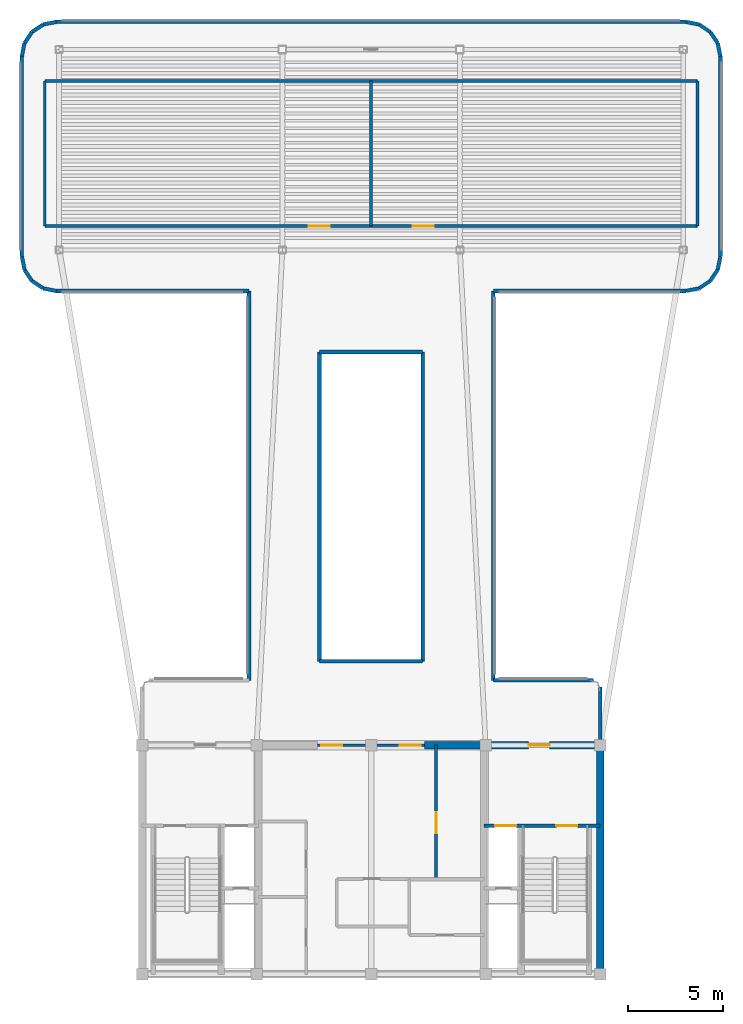
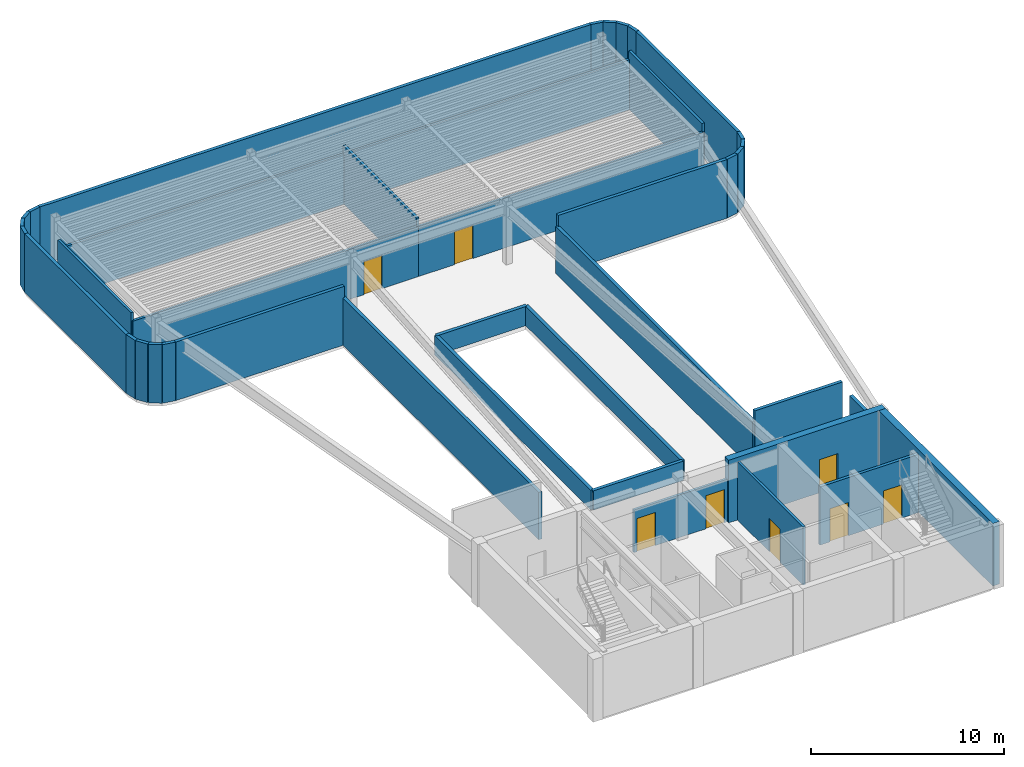
# One storey, part 3 of 6: 41 walls, 8 doors, 8 openings.
"""IFC4 building model written with IfcOpenShell, lengths in metres."""

from ifc_helpers import new_model, si_unit, direction, frame, frame_2d, origin, origin_2d, place, context, subcontext, project, spatial, rectangle, extrude, source, transform, mapped, material, layer, layer_set, type_object, element, fill, save


model = new_model("IFC4")

# Units and contexts
model_context = context("Model", 3, precision=1e-05, world=origin(), true_north=direction((0.0, 1.0)))
body_context = subcontext(model_context, "Body", "Model", "MODEL_VIEW")
ifc_project = project(units=[si_unit("LENGTHUNIT", "METRE"), si_unit("AREAUNIT", "SQUARE_METRE"), si_unit("VOLUMEUNIT", "CUBIC_METRE"), si_unit("PLANEANGLEUNIT", "RADIAN"), si_unit("MASSUNIT", "GRAM", prefix="KILO")], contexts=[model_context])

# Site, building, storey
site_placement = place(None, origin())
site = spatial("IfcSite", under=ifc_project, at=site_placement, CompositionType="ELEMENT")
building_placement = place(site_placement, origin())
building = spatial("IfcBuilding", under=site, at=building_placement, Name="Brelvock Crest Care Tower", CompositionType="ELEMENT")
storey_placement = place(building_placement, frame((0.0, 0.0, 299.8798828125)))
storey = spatial("IfcBuildingStorey", under=building, at=storey_placement, Name="L76", CompositionType="ELEMENT", Elevation=299.8798828125)

# Wall
ifc_material_1 = material(Name="Concrete S65 (65 MPa)", Category="concrete")
ifc_layer_1 = layer(ifc_material_1, 0.39990234375, Name="WL-CS4")
ifc_layer_set_1 = layer_set([ifc_layer_1], Name="Concrete S65 (65 MPa)")
wall_type_1 = type_object("IfcWallType", Name="WL-CS4", PredefinedType="SHEAR", material=ifc_layer_set_1)
wall_1_placement = place(storey_placement, frame((48.0, 18.0, 0.0), z_axis=(0.0, 0.0, 1.0), x_axis=(0.0, -1.0, 0.0)))
element("IfcWall", 1, at=wall_1_placement, inside=storey, type_object=wall_type_1, Name="L76 Core East Shear Wall", PredefinedType="SHEAR", context=body_context, shape_type="SweptSolid", body=[
    extrude(rectangle(XDim=12.0, YDim=0.39990234375, at=frame_2d((6.0, 0.0))), origin(), (0.0, 0.0, 1.0), 3.960205078125),
])

# Wall, opening, door
wall_2_placement = place(storey_placement, frame((38.800048828125, 18.0, 0.0), z_axis=(0.0, 0.0, 1.0), x_axis=(1.0, 0.0, 0.0)))
wall_2 = element("IfcWall", 2, at=wall_2_placement, inside=storey, type_object=wall_type_1, Name="L76 Core North-East Shear Wall", PredefinedType="SHEAR", context=body_context, shape_type="SweptSolid", body=[
    extrude(rectangle(XDim=9.39990234375, YDim=0.39990234375, at=frame_2d((4.699951171875, 0.0))), origin(), (0.0, 0.0, 1.0), 3.960205078125),
])
opening_1_placement = place(wall_2_placement, frame((5.449951171875, 0.0, 0.0)))
opening_1 = element("IfcOpeningElement", 3, at=opening_1_placement, cuts=wall_2, Name="Opening FD-1", PredefinedType="OPENING", context=body_context, shape_type="SweptSolid", body=[
    extrude(rectangle(XDim=1.10009765625, YDim=2.10009765625, at=origin_2d()), frame((0.550048828125, 0.2099609375, 1.050048828125), z_axis=(0.0, -1.0, 0.0), x_axis=(1.0, 0.0, 0.0)), (0.0, 0.0, 1.0), 0.419921875),
])
ifc_material_2 = material(Name="Steel Grade 350", Category="steel")
door_type_1 = type_object("IfcDoorType", Name="DR-FFL1", OperationType="NOTDEFINED", PredefinedType="DOOR", material=ifc_material_2)
shared_shape_1 = source(origin(), body_context, "Body", "SweptSolid", [
    extrude(rectangle(XDim=1.10009765625, YDim=2.10009765625, at=origin_2d()), frame((0.550048828125, 0.02490234375, 1.050048828125), z_axis=(0.0, -1.0, 0.0), x_axis=(1.0, 0.0, 0.0)), (0.0, 0.0, 1.0), 0.050048828125),
])
door_1_placement = place(opening_1_placement, origin())
door_1 = element("IfcDoor", 4, at=door_1_placement, inside=storey, type_object=door_type_1, Name="L76 Firefighting Lobby FFL-2 Exit Door", OperationType="SINGLE_SWING_RIGHT", OverallHeight=2.10009765625, OverallWidth=1.10009765625, PredefinedType="DOOR", context=body_context, shape_type="MappedRepresentation", body=[
    mapped(shared_shape_1, transform((0.0, 0.0, 0.0), x_axis=(1.0, 0.0, 0.0), y_axis=(0.0, 1.0, 0.0), z_axis=(0.0, 0.0, 1.0), scale=1.0)),
])
fill(opening_1, door_1)

# Walls
ifc_material_3 = material(Name="Precast concrete N40 (40 MPa)", Category="concrete")
ifc_layer_2 = layer(ifc_material_3, 0.195068359375, Name="WL-EX3")
ifc_layer_set_2 = layer_set([ifc_layer_2], Name="Precast concrete N40 (40 MPa)")
wall_type_2 = type_object("IfcWallType", Name="WL-EX3", PredefinedType="SOLIDWALL", material=ifc_layer_set_2)
wall_3_placement = place(storey_placement, frame((48.0, 21.050048828125, 0.0), z_axis=(0.0, 0.0, 1.0), x_axis=(0.0, -1.0, 0.0)))
element("IfcWall", 5, at=wall_3_placement, inside=storey, type_object=wall_type_2, Name="L76 Crown and Plant Cladding Wall 02", PredefinedType="SOLIDWALL", context=body_context, shape_type="SweptSolid", body=[
    extrude(rectangle(XDim=2.77001953125, YDim=0.195068359375, at=frame_2d((1.385009765625, 0.0))), origin(), (0.0, 0.0, 1.0), 2.898193359375),
])
wall_4_placement = place(storey_placement, frame((29.60009765625, 21.39990234375, 0.0), z_axis=(0.0, 0.0, 1.0), x_axis=(0.0, 1.0, 0.0)))
element("IfcWall", 6, at=wall_4_placement, inside=storey, type_object=wall_type_2, Name="L76 Crown and Plant Cladding Wall 12", PredefinedType="SOLIDWALL", context=body_context, shape_type="SweptSolid", body=[
    extrude(rectangle(XDim=20.400146484375, YDim=0.195068359375, at=frame_2d((10.2001953125, 0.0))), origin(), (0.0, 0.0, 1.0), 2.998046875),
])
wall_5_placement = place(storey_placement, frame((29.60009765625, 41.800048828125, 0.0), z_axis=(0.0, 0.0, 1.0), x_axis=(-1.0, 0.0, 0.0)))
element("IfcWall", 7, at=wall_5_placement, inside=storey, type_object=wall_type_2, Name="L76 Crown and Plant Cladding Wall 13", PredefinedType="SOLIDWALL", context=body_context, shape_type="SweptSolid", body=[
    extrude(rectangle(XDim=10.10009765625, YDim=0.195068359375, at=frame_2d((5.050048828125, 0.0))), origin(), (0.0, 0.0, 1.0), 3.710205078125),
])
wall_6_placement = place(storey_placement, frame((19.5, 41.800048828125, 0.0), z_axis=(0.0, 0.0, 1.0), x_axis=(-0.980794046625, 0.195046246068, 0.0)))
element("IfcWall", 8, at=wall_6_placement, inside=storey, type_object=wall_type_2, Name="L76 Crown and Plant Cladding Wall 14", PredefinedType="SOLIDWALL", context=body_context, shape_type="SweptSolid", body=[
    extrude(rectangle(XDim=0.7021484375, YDim=0.195068359375, at=frame_2d((0.35107421875, 0.0))), origin(), (0.0, 0.0, 1.0), 3.710205078125),
])
for number, where, z_axis, x_axis, name in (
    (9, (18.811279296875, 41.93701171875, 0.0), (0.0, 0.0, 1.0), (-0.831515102434, 0.555502146192, 0.0), "L76 Crown and Plant Cladding Wall 15"),
    (10, (18.227294921875, 42.3271484375, 0.0), (0.0, 0.0, 1.0), (-0.555742429414, 0.831354528555, 0.0), "L76 Crown and Plant Cladding Wall 16"),
    (11, (17.8369140625, 42.9111328125, 0.0), (0.0, 0.0, 1.0), (-0.194979757801, 0.980807266515, 0.0), "L76 Crown and Plant Cladding Wall 17"),
):
    element("IfcWall", number, at=place(storey_placement, frame(where, z_axis=z_axis, x_axis=x_axis)), inside=storey, type_object=wall_type_2, Name=name, PredefinedType="SOLIDWALL", context=body_context, shape_type="SweptSolid", body=[
        extrude(rectangle(XDim=0.702392578125, YDim=0.195068359375, at=frame_2d((0.35107421875, 0.0))), origin(), (0.0, 0.0, 1.0), 3.710205078125),
    ])
wall_7_placement = place(storey_placement, frame((17.699951171875, 43.60009765625, 0.0), z_axis=(0.0, 0.0, 1.0), x_axis=(0.0, 1.0, 0.0)))
element("IfcWall", 12, at=wall_7_placement, inside=storey, type_object=wall_type_2, Name="L76 Crown and Plant Cladding Wall 18", PredefinedType="SOLIDWALL", context=body_context, shape_type="SweptSolid", body=[
    extrude(rectangle(XDim=10.5, YDim=0.195068359375, at=frame_2d((5.25, 0.0))), origin(), (0.0, 0.0, 1.0), 3.710205078125),
])
wall_8_placement = place(storey_placement, frame((17.699951171875, 54.10009765625, 0.0), z_axis=(0.0, 0.0, 1.0), x_axis=(0.195046246068, 0.980794046625, 0.0)))
element("IfcWall", 13, at=wall_8_placement, inside=storey, type_object=wall_type_2, Name="L76 Crown and Plant Cladding Wall 19", PredefinedType="SOLIDWALL", context=body_context, shape_type="SweptSolid", body=[
    extrude(rectangle(XDim=0.7021484375, YDim=0.195068359375, at=frame_2d((0.35107421875, 0.0))), origin(), (0.0, 0.0, 1.0), 3.710205078125),
])
for number, where, z_axis, x_axis, name in (
    (14, (17.8369140625, 54.788818359375, 0.0), (0.0, 0.0, 1.0), (0.555742429414, 0.831354528555, 0.0), "L76 Crown and Plant Cladding Wall 20"),
    (15, (18.227294921875, 55.372802734375, 0.0), (0.0, 0.0, 1.0), (0.831515102434, 0.555502146192, 0.0), "L76 Crown and Plant Cladding Wall 21"),
):
    element("IfcWall", number, at=place(storey_placement, frame(where, z_axis=z_axis, x_axis=x_axis)), inside=storey, type_object=wall_type_2, Name=name, PredefinedType="SOLIDWALL", context=body_context, shape_type="SweptSolid", body=[
        extrude(rectangle(XDim=0.702392578125, YDim=0.195068359375, at=frame_2d((0.35107421875, 0.0))), origin(), (0.0, 0.0, 1.0), 3.710205078125),
    ])
wall_9_placement = place(storey_placement, frame((18.811279296875, 55.762939453125, 0.0), z_axis=(0.0, 0.0, 1.0), x_axis=(0.980794046625, 0.195046246068, 0.0)))
element("IfcWall", 16, at=wall_9_placement, inside=storey, type_object=wall_type_2, Name="L76 Crown and Plant Cladding Wall 22", PredefinedType="SOLIDWALL", context=body_context, shape_type="SweptSolid", body=[
    extrude(rectangle(XDim=0.7021484375, YDim=0.195068359375, at=frame_2d((0.35107421875, 0.0))), origin(), (0.0, 0.0, 1.0), 3.710205078125),
])
wall_10_placement = place(storey_placement, frame((19.5, 55.89990234375, 0.0), z_axis=(0.0, 0.0, 1.0), x_axis=(1.0, 0.0, 0.0)))
element("IfcWall", 17, at=wall_10_placement, inside=storey, type_object=wall_type_2, Name="L76 Crown and Plant Cladding Wall 23", PredefinedType="SOLIDWALL", context=body_context, shape_type="SweptSolid", body=[
    extrude(rectangle(XDim=33.0, YDim=0.195068359375, at=frame_2d((16.5, 0.0))), origin(), (0.0, 0.0, 1.0), 3.710205078125),
])
wall_11_placement = place(storey_placement, frame((52.5, 55.89990234375, 0.0), z_axis=(0.0, 0.0, 1.0), x_axis=(0.980794046625, -0.195046246068, 0.0)))
element("IfcWall", 18, at=wall_11_placement, inside=storey, type_object=wall_type_2, Name="L76 Crown and Plant Cladding Wall 24", PredefinedType="SOLIDWALL", context=body_context, shape_type="SweptSolid", body=[
    extrude(rectangle(XDim=0.7021484375, YDim=0.195068359375, at=frame_2d((0.35107421875, 0.0))), origin(), (0.0, 0.0, 1.0), 3.710205078125),
])
for number, where, z_axis, x_axis, name in (
    (19, (53.188720703125, 55.762939453125, 0.0), (0.0, 0.0, 1.0), (0.831515102434, -0.555502146192, 0.0), "L76 Crown and Plant Cladding Wall 25"),
    (20, (53.772705078125, 55.372802734375, 0.0), (0.0, 0.0, 1.0), (0.555742429414, -0.831354528555, 0.0), "L76 Crown and Plant Cladding Wall 26"),
):
    element("IfcWall", number, at=place(storey_placement, frame(where, z_axis=z_axis, x_axis=x_axis)), inside=storey, type_object=wall_type_2, Name=name, PredefinedType="SOLIDWALL", context=body_context, shape_type="SweptSolid", body=[
        extrude(rectangle(XDim=0.702392578125, YDim=0.195068359375, at=frame_2d((0.35107421875, 0.0))), origin(), (0.0, 0.0, 1.0), 3.710205078125),
    ])
wall_12_placement = place(storey_placement, frame((54.1630859375, 54.788818359375, 0.0), z_axis=(0.0, 0.0, 1.0), x_axis=(0.195046246068, -0.980794046625, 0.0)))
element("IfcWall", 21, at=wall_12_placement, inside=storey, type_object=wall_type_2, Name="L76 Crown and Plant Cladding Wall 27", PredefinedType="SOLIDWALL", context=body_context, shape_type="SweptSolid", body=[
    extrude(rectangle(XDim=0.7021484375, YDim=0.195068359375, at=frame_2d((0.35107421875, 0.0))), origin(), (0.0, 0.0, 1.0), 3.710205078125),
])
wall_13_placement = place(storey_placement, frame((54.300048828125, 54.10009765625, 0.0), z_axis=(0.0, 0.0, 1.0), x_axis=(0.0, -1.0, 0.0)))
element("IfcWall", 22, at=wall_13_placement, inside=storey, type_object=wall_type_2, Name="L76 Crown and Plant Cladding Wall 28", PredefinedType="SOLIDWALL", context=body_context, shape_type="SweptSolid", body=[
    extrude(rectangle(XDim=10.5, YDim=0.195068359375, at=frame_2d((5.25, 0.0))), origin(), (0.0, 0.0, 1.0), 3.710205078125),
])
for number, where, z_axis, x_axis, name in (
    (23, (54.300048828125, 43.60009765625, 0.0), (0.0, 0.0, 1.0), (-0.194979757801, -0.980807266515, 0.0), "L76 Crown and Plant Cladding Wall 29"),
    (24, (54.1630859375, 42.9111328125, 0.0), (0.0, 0.0, 1.0), (-0.555742429414, -0.831354528555, 0.0), "L76 Crown and Plant Cladding Wall 30"),
    (25, (53.772705078125, 42.3271484375, 0.0), (0.0, 0.0, 1.0), (-0.831515102434, -0.555502146192, 0.0), "L76 Crown and Plant Cladding Wall 31"),
):
    element("IfcWall", number, at=place(storey_placement, frame(where, z_axis=z_axis, x_axis=x_axis)), inside=storey, type_object=wall_type_2, Name=name, PredefinedType="SOLIDWALL", context=body_context, shape_type="SweptSolid", body=[
        extrude(rectangle(XDim=0.702392578125, YDim=0.195068359375, at=frame_2d((0.35107421875, 0.0))), origin(), (0.0, 0.0, 1.0), 3.710205078125),
    ])
wall_14_placement = place(storey_placement, frame((53.188720703125, 41.93701171875, 0.0), z_axis=(0.0, 0.0, 1.0), x_axis=(-0.980794046625, -0.195046246068, 0.0)))
element("IfcWall", 26, at=wall_14_placement, inside=storey, type_object=wall_type_2, Name="L76 Crown and Plant Cladding Wall 32", PredefinedType="SOLIDWALL", context=body_context, shape_type="SweptSolid", body=[
    extrude(rectangle(XDim=0.7021484375, YDim=0.195068359375, at=frame_2d((0.35107421875, 0.0))), origin(), (0.0, 0.0, 1.0), 3.710205078125),
])
wall_15_placement = place(storey_placement, frame((52.5, 41.800048828125, 0.0), z_axis=(0.0, 0.0, 1.0), x_axis=(-1.0, 0.0, 0.0)))
element("IfcWall", 27, at=wall_15_placement, inside=storey, type_object=wall_type_2, Name="L76 Crown and Plant Cladding Wall 33", PredefinedType="SOLIDWALL", context=body_context, shape_type="SweptSolid", body=[
    extrude(rectangle(XDim=10.10009765625, YDim=0.195068359375, at=frame_2d((5.050048828125, 0.0))), origin(), (0.0, 0.0, 1.0), 3.710205078125),
])
wall_16_placement = place(storey_placement, frame((42.39990234375, 41.800048828125, 0.0), z_axis=(0.0, 0.0, 1.0), x_axis=(0.0, -1.0, 0.0)))
element("IfcWall", 28, at=wall_16_placement, inside=storey, type_object=wall_type_2, Name="L76 Crown and Plant Cladding Wall 34", PredefinedType="SOLIDWALL", context=body_context, shape_type="SweptSolid", body=[
    extrude(rectangle(XDim=20.400146484375, YDim=0.195068359375, at=frame_2d((10.2001953125, 0.0))), origin(), (0.0, 0.0, 1.0), 2.998046875),
])
wall_17_placement = place(storey_placement, frame((42.39990234375, 21.39990234375, 0.0), z_axis=(0.0, 0.0, 1.0), x_axis=(1.0, 0.0, 0.0)))
element("IfcWall", 29, at=wall_17_placement, inside=storey, type_object=wall_type_2, Name="L76 Crown and Plant Cladding Wall 35", PredefinedType="SOLIDWALL", context=body_context, shape_type="SweptSolid", body=[
    extrude(rectangle(XDim=5.25, YDim=0.195068359375, at=frame_2d((2.625, 0.0))), origin(), (0.0, 0.0, 1.0), 3.710205078125),
])

# Wall, opening, door
ifc_material_4 = material(Name="Masonry Blockwork Acoustic Partition", Category="masonry")
ifc_layer_3 = layer(ifc_material_4, 0.14990234375, Name="WL-INT1")
ifc_layer_set_3 = layer_set([ifc_layer_3], Name="Masonry Blockwork Acoustic Partition")
wall_type_3 = type_object("IfcWallType", Name="WL-INT1", PredefinedType="PARTITIONING", material=ifc_layer_set_3)
wall_18_placement = place(storey_placement, frame((39.39990234375, 11.0, 0.0), z_axis=(0.0, 0.0, 1.0), x_axis=(0.0, 1.0, 0.0)))
wall_18 = element("IfcWall", 30, at=wall_18_placement, inside=storey, type_object=wall_type_3, Name="L76 Interior Wall WL-CRCH-W-L76", PredefinedType="PARTITIONING", context=body_context, shape_type="SweptSolid", body=[
    extrude(rectangle(XDim=7.0, YDim=0.14990234375, at=frame_2d((3.5, 0.0))), origin(), (0.0, 0.0, 1.0), 3.68017578125),
])
opening_2_placement = place(wall_18_placement, frame((2.39990234375, 0.0, 0.0)))
opening_2 = element("IfcOpeningElement", 31, at=opening_2_placement, cuts=wall_18, Name="Opening PD-1", PredefinedType="OPENING", context=body_context, shape_type="SweptSolid", body=[
    extrude(rectangle(XDim=1.10009765625, YDim=2.10009765625, at=origin_2d()), frame((0.550048828125, 0.0849609375, 1.050048828125), z_axis=(0.0, -1.0, 0.0), x_axis=(1.0, 0.0, 0.0)), (0.0, 0.0, 1.0), 0.169921875),
])
door_type_2 = type_object("IfcDoorType", Name="DR-PLT1", OperationType="NOTDEFINED", PredefinedType="DOOR", material=ifc_material_2)
shared_shape_2 = source(origin(), body_context, "Body", "SweptSolid", [
    extrude(rectangle(XDim=1.10009765625, YDim=2.10009765625, at=origin_2d()), frame((0.550048828125, 0.02490234375, 1.050048828125), z_axis=(0.0, -1.0, 0.0), x_axis=(1.0, 0.0, 0.0)), (0.0, 0.0, 1.0), 0.050048828125),
])
door_2_placement = place(opening_2_placement, origin())
door_2 = element("IfcDoor", 32, at=door_2_placement, inside=storey, type_object=door_type_2, Name="DR-CRCH-L76", OperationType="SINGLE_SWING_RIGHT", OverallHeight=2.10009765625, OverallWidth=1.10009765625, PredefinedType="DOOR", context=body_context, shape_type="MappedRepresentation", body=[
    mapped(shared_shape_2, transform((0.0, 0.0, 0.0), x_axis=(1.0, 0.0, 0.0), y_axis=(0.0, 1.0, 0.0), z_axis=(0.0, 0.0, 1.0), scale=1.0)),
])
fill(opening_2, door_2)

# Wall, openings, doors
wall_19_placement = place(storey_placement, frame((33.199951171875, 18.0, 0.0), z_axis=(0.0, 0.0, 1.0), x_axis=(1.0, 0.0, 0.0)))
wall_19 = element("IfcWall", 33, at=wall_19_placement, inside=storey, type_object=wall_type_3, Name="L76 Interior Wall WL-CORE-NPORT-L76", PredefinedType="PARTITIONING", context=body_context, shape_type="SweptSolid", body=[
    extrude(rectangle(XDim=5.60009765625, YDim=0.14990234375, at=frame_2d((2.800048828125, 0.0))), origin(), (0.0, 0.0, 1.0), 2.695068359375),
])
opening_3_placement = place(wall_19_placement, frame((0.18994140625, 0.0, 0.0)))
opening_3 = element("IfcOpeningElement", 34, at=opening_3_placement, cuts=wall_19, Name="Opening FD-1", PredefinedType="OPENING", context=body_context, shape_type="SweptSolid", body=[
    extrude(rectangle(XDim=1.10009765625, YDim=2.10009765625, at=origin_2d()), frame((0.550048828125, 0.0849609375, 1.050048828125), z_axis=(0.0, -1.0, 0.0), x_axis=(1.0, 0.0, 0.0)), (0.0, 0.0, 1.0), 0.169921875),
])
opening_4_placement = place(wall_19_placement, frame((4.31005859375, 0.0, 0.0)))
opening_4 = element("IfcOpeningElement", 35, at=opening_4_placement, cuts=wall_19, Name="Opening FD-1", PredefinedType="OPENING", context=body_context, shape_type="SweptSolid", body=[
    extrude(rectangle(XDim=1.10009765625, YDim=2.10009765625, at=origin_2d()), frame((0.550048828125, 0.0849609375, 1.050048828125), z_axis=(0.0, -1.0, 0.0), x_axis=(1.0, 0.0, 0.0)), (0.0, 0.0, 1.0), 0.169921875),
])
door_3_placement = place(opening_3_placement, origin())
door_3 = element("IfcDoor", 36, at=door_3_placement, inside=storey, type_object=door_type_1, Name="L76 Lift Lobby North Smoke Door West", OperationType="SINGLE_SWING_LEFT", OverallHeight=2.10009765625, OverallWidth=1.10009765625, PredefinedType="DOOR", context=body_context, shape_type="MappedRepresentation", body=[
    mapped(shared_shape_1, transform((0.0, 0.0, 0.0), x_axis=(1.0, 0.0, 0.0), y_axis=(0.0, 1.0, 0.0), z_axis=(0.0, 0.0, 1.0), scale=1.0)),
])
fill(opening_3, door_3)
door_4_placement = place(opening_4_placement, origin())
door_4 = element("IfcDoor", 37, at=door_4_placement, inside=storey, type_object=door_type_1, Name="L76 Lift Lobby North Smoke Door East", OperationType="SINGLE_SWING_RIGHT", OverallHeight=2.10009765625, OverallWidth=1.10009765625, PredefinedType="DOOR", context=body_context, shape_type="MappedRepresentation", body=[
    mapped(shared_shape_1, transform((0.0, 0.0, 0.0), x_axis=(1.0, 0.0, 0.0), y_axis=(0.0, 1.0, 0.0), z_axis=(0.0, 0.0, 1.0), scale=1.0)),
])
fill(opening_4, door_4)

# Wall, opening, door
wall_20_placement = place(storey_placement, frame((18.89990234375, 45.199951171875, 0.0), z_axis=(0.0, 0.0, 1.0), x_axis=(1.0, 0.0, 0.0)))
wall_20 = element("IfcWall", 38, at=wall_20_placement, inside=storey, type_object=wall_type_3, Name="L76 Interior Wall WL-RM-L76-CRPW", PredefinedType="PARTITIONING", context=body_context, shape_type="SweptSolid", body=[
    extrude(rectangle(XDim=17.10009765625, YDim=0.14990234375, at=frame_2d((8.550048828125, 0.0))), origin(), (0.0, 0.0, 1.0), 3.162109375),
])
opening_5_placement = place(wall_20_placement, frame((13.830078125, 0.0, 0.0)))
opening_5 = element("IfcOpeningElement", 39, at=opening_5_placement, cuts=wall_20, Name="Opening PD-1", PredefinedType="OPENING", context=body_context, shape_type="SweptSolid", body=[
    extrude(rectangle(XDim=1.10009765625, YDim=2.10009765625, at=origin_2d()), frame((0.550048828125, 0.0849609375, 1.050048828125), z_axis=(0.0, -1.0, 0.0), x_axis=(1.0, 0.0, 0.0)), (0.0, 0.0, 1.0), 0.169921875),
])
door_5_placement = place(opening_5_placement, origin())
door_5 = element("IfcDoor", 40, at=door_5_placement, inside=storey, type_object=door_type_2, Name="L76 Crown Exhaust Fan Plant Room West Door CRPW", OperationType="SINGLE_SWING_LEFT", OverallHeight=2.10009765625, OverallWidth=1.10009765625, PredefinedType="DOOR", context=body_context, shape_type="MappedRepresentation", body=[
    mapped(shared_shape_2, transform((0.0, 0.0, 0.0), x_axis=(1.0, 0.0, 0.0), y_axis=(0.0, 1.0, 0.0), z_axis=(0.0, 0.0, 1.0), scale=1.0)),
])
fill(opening_5, door_5)

wall_21_placement = place(storey_placement, frame((36.0, 45.199951171875, 0.0), z_axis=(0.0, 0.0, 1.0), x_axis=(1.0, 0.0, 0.0)))
wall_21 = element("IfcWall", 41, at=wall_21_placement, inside=storey, type_object=wall_type_3, Name="L76 Interior Wall WL-RM-L76-CRPE", PredefinedType="PARTITIONING", context=body_context, shape_type="SweptSolid", body=[
    extrude(rectangle(XDim=17.10009765625, YDim=0.14990234375, at=frame_2d((8.550048828125, 0.0))), origin(), (0.0, 0.0, 1.0), 3.162109375),
])
opening_6_placement = place(wall_21_placement, frame((2.169921875, 0.0, 0.0)))
opening_6 = element("IfcOpeningElement", 42, at=opening_6_placement, cuts=wall_21, Name="Opening PD-1", PredefinedType="OPENING", context=body_context, shape_type="SweptSolid", body=[
    extrude(rectangle(XDim=1.10009765625, YDim=2.10009765625, at=origin_2d()), frame((0.550048828125, 0.0849609375, 1.050048828125), z_axis=(0.0, -1.0, 0.0), x_axis=(1.0, 0.0, 0.0)), (0.0, 0.0, 1.0), 0.169921875),
])
door_6_placement = place(opening_6_placement, origin())
door_6 = element("IfcDoor", 43, at=door_6_placement, inside=storey, type_object=door_type_2, Name="L76 Crown Heat-Recovery Plant Room East Door CRPE", OperationType="SINGLE_SWING_LEFT", OverallHeight=2.10009765625, OverallWidth=1.10009765625, PredefinedType="DOOR", context=body_context, shape_type="MappedRepresentation", body=[
    mapped(shared_shape_2, transform((0.0, 0.0, 0.0), x_axis=(1.0, 0.0, 0.0), y_axis=(0.0, 1.0, 0.0), z_axis=(0.0, 0.0, 1.0), scale=1.0)),
])
fill(opening_6, door_6)

# Walls
for number, where, z_axis, x_axis, name in (
    (44, (18.89990234375, 52.800048828125, 0.0), (0.0, 0.0, 1.0), (1.0, 0.0, 0.0), "L76 Interior Wall WL-BX-L76-CRPW-N"),
    (45, (36.0, 52.800048828125, 0.0), (0.0, 0.0, 1.0), (1.0, 0.0, 0.0), "L76 Interior Wall WL-BX-L76-CRPE-N"),
):
    element("IfcWall", number, at=place(storey_placement, frame(where, z_axis=z_axis, x_axis=x_axis)), inside=storey, type_object=wall_type_3, Name=name, PredefinedType="PARTITIONING", context=body_context, shape_type="SweptSolid", body=[
        extrude(rectangle(XDim=17.10009765625, YDim=0.14990234375, at=frame_2d((8.550048828125, 0.0))), origin(), (0.0, 0.0, 1.0), 3.162109375),
    ])
for number, where, z_axis, x_axis, name in (
    (46, (18.89990234375, 45.199951171875, 0.0), (0.0, 0.0, 1.0), (0.0, 1.0, 0.0), "L76 Interior Wall WL-BX-L76-CRPW-W"),
    (47, (36.0, 45.199951171875, 0.0), (0.0, 0.0, 1.0), (0.0, 1.0, 0.0), "L76 Interior Wall WL-BX-L76-CRPE-W"),
    (48, (53.10009765625, 45.199951171875, 0.0), (0.0, 0.0, 1.0), (0.0, 1.0, 0.0), "L76 Interior Wall WL-BX-L76-CRPE-E"),
):
    element("IfcWall", number, at=place(storey_placement, frame(where, z_axis=z_axis, x_axis=x_axis)), inside=storey, type_object=wall_type_3, Name=name, PredefinedType="PARTITIONING", context=body_context, shape_type="SweptSolid", body=[
        extrude(rectangle(XDim=7.60009765625, YDim=0.14990234375, at=frame_2d((3.800048828125, 0.0))), origin(), (0.0, 0.0, 1.0), 3.68017578125),
    ])
ifc_layer_4 = layer(ifc_material_3, 0.199951171875, Name="WL-PR1")
ifc_layer_set_4 = layer_set([ifc_layer_4], Name="Precast concrete N40 (40 MPa)")
wall_type_4 = type_object("IfcWallType", Name="WL-PR1", PredefinedType="PARAPET", material=ifc_layer_set_4)
wall_22_placement = place(storey_placement, frame((33.300048828125, 22.39990234375, 0.0), z_axis=(0.0, 0.0, 1.0), x_axis=(1.0, 0.0, 0.0)))
element("IfcWall", 49, at=wall_22_placement, inside=storey, type_object=wall_type_4, Name="L76 Wind Portal Safety Parapet 1", PredefinedType="PARAPET", context=body_context, shape_type="SweptSolid", body=[
    extrude(rectangle(XDim=5.39990234375, YDim=0.199951171875, at=frame_2d((2.699951171875, 0.0))), origin(), (0.0, 0.0, 1.0), 1.22021484375),
])
wall_23_placement = place(storey_placement, frame((38.699951171875, 22.39990234375, 0.0), z_axis=(0.0, 0.0, 1.0), x_axis=(0.0, 1.0, 0.0)))
element("IfcWall", 50, at=wall_23_placement, inside=storey, type_object=wall_type_4, Name="L76 Wind Portal Safety Parapet 2", PredefinedType="PARAPET", context=body_context, shape_type="SweptSolid", body=[
    extrude(rectangle(XDim=16.2001953125, YDim=0.199951171875, at=frame_2d((8.10009765625, 0.0))), origin(), (0.0, 0.0, 1.0), 1.22021484375),
])
wall_24_placement = place(storey_placement, frame((38.699951171875, 38.60009765625, 0.0), z_axis=(0.0, 0.0, 1.0), x_axis=(-1.0, 0.0, 0.0)))
element("IfcWall", 51, at=wall_24_placement, inside=storey, type_object=wall_type_4, Name="L76 Wind Portal Safety Parapet 3", PredefinedType="PARAPET", context=body_context, shape_type="SweptSolid", body=[
    extrude(rectangle(XDim=5.39990234375, YDim=0.199951171875, at=frame_2d((2.699951171875, 0.0))), origin(), (0.0, 0.0, 1.0), 1.22021484375),
])
wall_25_placement = place(storey_placement, frame((33.300048828125, 38.60009765625, 0.0), z_axis=(0.0, 0.0, 1.0), x_axis=(0.0, -1.0, 0.0)))
element("IfcWall", 52, at=wall_25_placement, inside=storey, type_object=wall_type_4, Name="L76 Wind Portal Safety Parapet 4", PredefinedType="PARAPET", context=body_context, shape_type="SweptSolid", body=[
    extrude(rectangle(XDim=16.2001953125, YDim=0.199951171875, at=frame_2d((8.10009765625, 0.0))), origin(), (0.0, 0.0, 1.0), 1.22021484375),
])

# Wall, openings, doors
ifc_layer_5 = layer(ifc_material_4, 0.179931640625, Name="WL-SHF1")
ifc_layer_set_5 = layer_set([ifc_layer_5], Name="Masonry Blockwork Acoustic Partition")
wall_type_5 = type_object("IfcWallType", Name="WL-SHF1", PredefinedType="PARTITIONING", material=ifc_layer_set_5)
wall_26_placement = place(storey_placement, frame((41.89990234375, 13.780029296875, 0.0), z_axis=(0.0, 0.0, 1.0), x_axis=(1.0, 0.0, 0.0)))
wall_26 = element("IfcWall", 53, at=wall_26_placement, inside=storey, type_object=wall_type_5, Name="L76 Interior Wall WL-ST2-N-L76", PredefinedType="PARTITIONING", context=body_context, shape_type="SweptSolid", body=[
    extrude(rectangle(XDim=6.10009765625, YDim=0.179931640625, at=frame_2d((3.050048828125, 0.0))), origin(), (0.0, 0.0, 1.0), 3.68017578125),
])
opening_7_placement = place(wall_26_placement, frame((0.60009765625, 0.0, 0.0)))
opening_7 = element("IfcOpeningElement", 54, at=opening_7_placement, cuts=wall_26, Name="Opening LD", PredefinedType="OPENING", context=body_context, shape_type="SweptSolid", body=[
    extrude(rectangle(XDim=1.10009765625, YDim=2.10009765625, at=origin_2d()), frame((0.550048828125, 0.10009765625, 1.050048828125), z_axis=(0.0, -1.0, 0.0), x_axis=(1.0, 0.0, 0.0)), (0.0, 0.0, 1.0), 0.199951171875),
])
opening_8_placement = place(wall_26_placement, frame((3.800048828125, 0.0, 0.0)))
opening_8 = element("IfcOpeningElement", 55, at=opening_8_placement, cuts=wall_26, Name="Opening SD-1", PredefinedType="OPENING", context=body_context, shape_type="SweptSolid", body=[
    extrude(rectangle(XDim=1.10009765625, YDim=2.10009765625, at=origin_2d()), frame((0.550048828125, 0.10009765625, 1.050048828125), z_axis=(0.0, -1.0, 0.0), x_axis=(1.0, 0.0, 0.0)), (0.0, 0.0, 1.0), 0.199951171875),
])
door_type_3 = type_object("IfcDoorType", Name="DR-ST1", OperationType="NOTDEFINED", PredefinedType="DOOR", material=ifc_material_2)
shared_shape_3 = source(origin(), body_context, "Body", "SweptSolid", [
    extrude(rectangle(XDim=1.10009765625, YDim=2.10009765625, at=origin_2d()), frame((0.550048828125, 0.02490234375, 1.050048828125), z_axis=(0.0, -1.0, 0.0), x_axis=(1.0, 0.0, 0.0)), (0.0, 0.0, 1.0), 0.050048828125),
])
door_7_placement = place(opening_8_placement, origin())
door_7 = element("IfcDoor", 56, at=door_7_placement, inside=storey, type_object=door_type_3, Name="L76 Fire Stair ST-2 Door", OperationType="SINGLE_SWING_RIGHT", OverallHeight=2.10009765625, OverallWidth=1.10009765625, PredefinedType="DOOR", context=body_context, shape_type="MappedRepresentation", body=[
    mapped(shared_shape_3, transform((0.0, 0.0, 0.0), x_axis=(1.0, 0.0, 0.0), y_axis=(0.0, 1.0, 0.0), z_axis=(0.0, 0.0, 1.0), scale=1.0)),
])
fill(opening_8, door_7)
door_type_4 = type_object("IfcDoorType", Name="DR-LD1", OperationType="NOTDEFINED", PredefinedType="DOOR", material=ifc_material_2)
shared_shape_4 = source(origin(), body_context, "Body", "SweptSolid", [
    extrude(rectangle(XDim=1.10009765625, YDim=2.10009765625, at=origin_2d()), frame((0.550048828125, 0.02490234375, 1.050048828125), z_axis=(0.0, -1.0, 0.0), x_axis=(1.0, 0.0, 0.0)), (0.0, 0.0, 1.0), 0.050048828125),
])
door_8_placement = place(opening_7_placement, origin())
door_8 = element("IfcDoor", 57, at=door_8_placement, inside=storey, type_object=door_type_4, Name="L76 Firefighting Lift FFL-2 Landing Door", OperationType="SLIDING_TO_RIGHT", OverallHeight=2.10009765625, OverallWidth=1.10009765625, PredefinedType="DOOR", context=body_context, shape_type="MappedRepresentation", body=[
    mapped(shared_shape_4, transform((0.0, 0.0, 0.0), x_axis=(1.0, 0.0, 0.0), y_axis=(0.0, 1.0, 0.0), z_axis=(0.0, 0.0, 1.0), scale=1.0)),
])
fill(opening_7, door_8)

save(model, "model.ifc")
